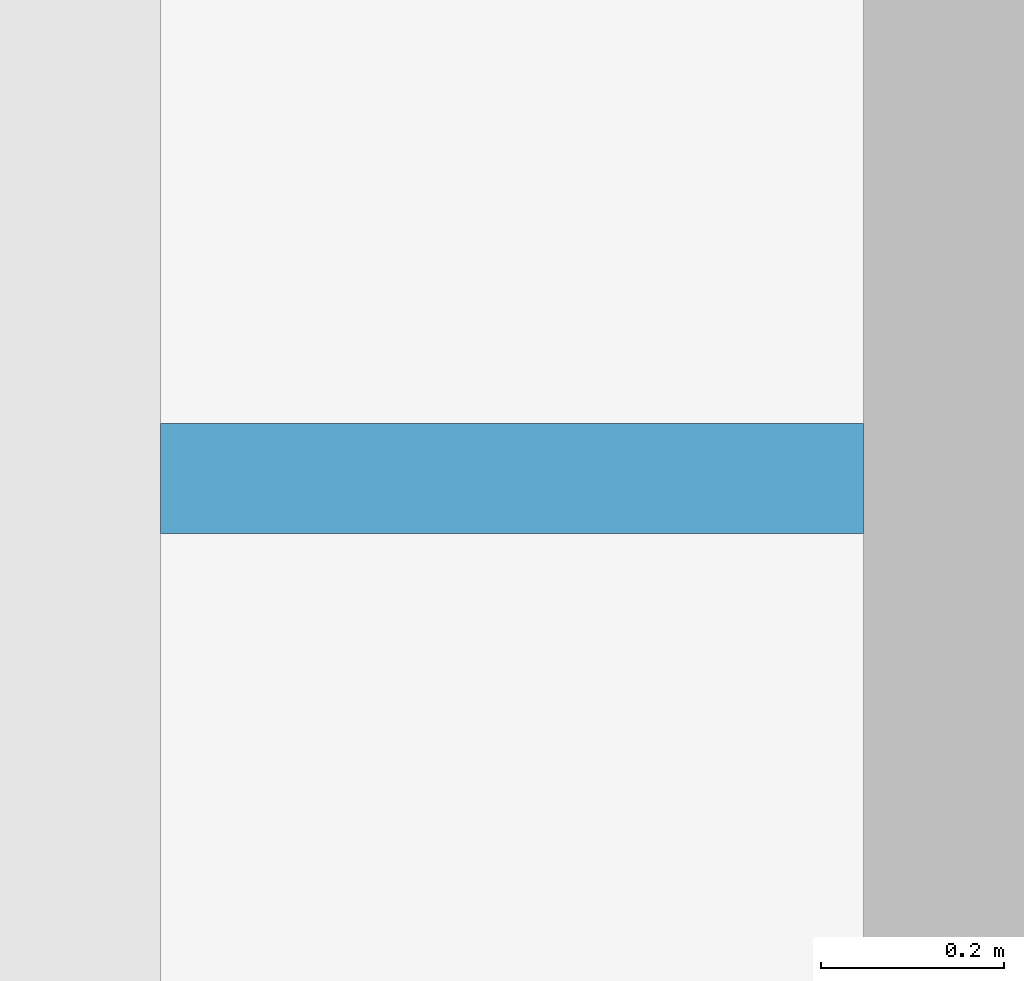
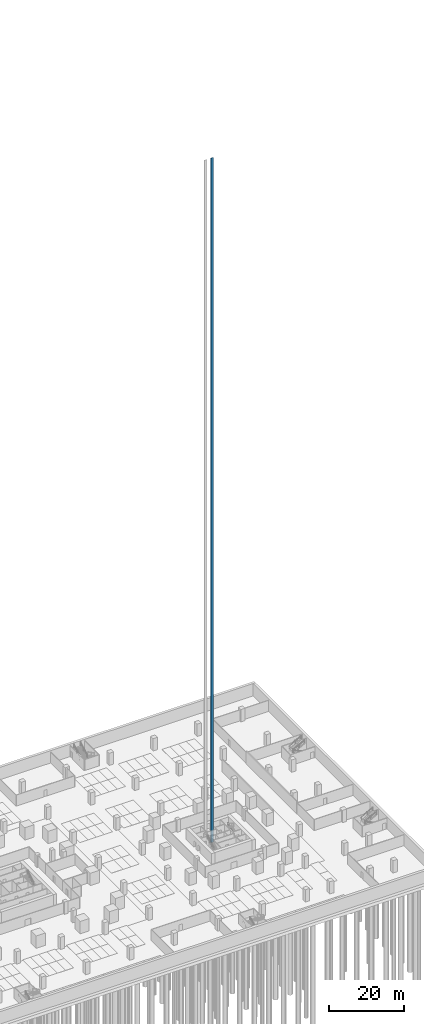
# One storey, part 24 of 40: 1 discrete accessory.
"""IFC4 building model written with IfcOpenShell, lengths in metres."""

from ifc_helpers import new_model, si_unit, direction, frame, origin, origin_2d, place, context, subcontext, project, spatial, rectangle, extrude, element, save


model = new_model("IFC4")

# Units and contexts
model_context = context("Model", 3, precision=1e-05, world=origin(), true_north=direction((0.0, 1.0)))
body_context = subcontext(model_context, "Body", "Model", "MODEL_VIEW")
ifc_project = project(units=[si_unit("LENGTHUNIT", "METRE"), si_unit("AREAUNIT", "SQUARE_METRE"), si_unit("VOLUMEUNIT", "CUBIC_METRE"), si_unit("PLANEANGLEUNIT", "RADIAN"), si_unit("MASSUNIT", "GRAM", prefix="KILO")], contexts=[model_context])

# Site, building, storey
site_placement = place(None, origin())
site = spatial("IfcSite", under=ifc_project, at=site_placement, CompositionType="ELEMENT")
building_placement = place(site_placement, origin())
building = spatial("IfcBuilding", under=site, at=building_placement, Name="Altepetl Exchange Towers", CompositionType="ELEMENT")
storey_placement = place(building_placement, frame((0.0, 0.0, -8.0)))
storey = spatial("IfcBuildingStorey", under=building, at=storey_placement, Name="B2 Basement parking", CompositionType="ELEMENT", Elevation=-8.0)

# Discrete accessory
discrete_accessory_placement = place(storey_placement, frame((109.88330078125, 46.800048828125, -1.60009765625)))
element("IfcDiscreteAccessory", 1, at=discrete_accessory_placement, inside=storey, Name="Guide rail FFL1", ObjectType="GUIDE RAIL", PredefinedType="USERDEFINED", context=body_context, shape_type="SweptSolid", body=[
    extrude(rectangle(XDim=0.7666015625, YDim=0.1201171875, at=origin_2d()), origin(), (0.0, 0.0, 1.0), 222.5),
])

save(model, "model.ifc")
